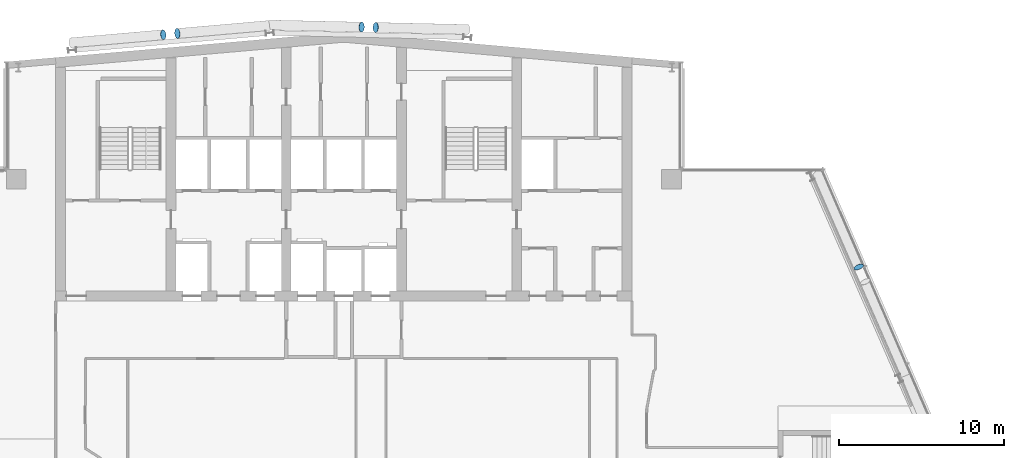
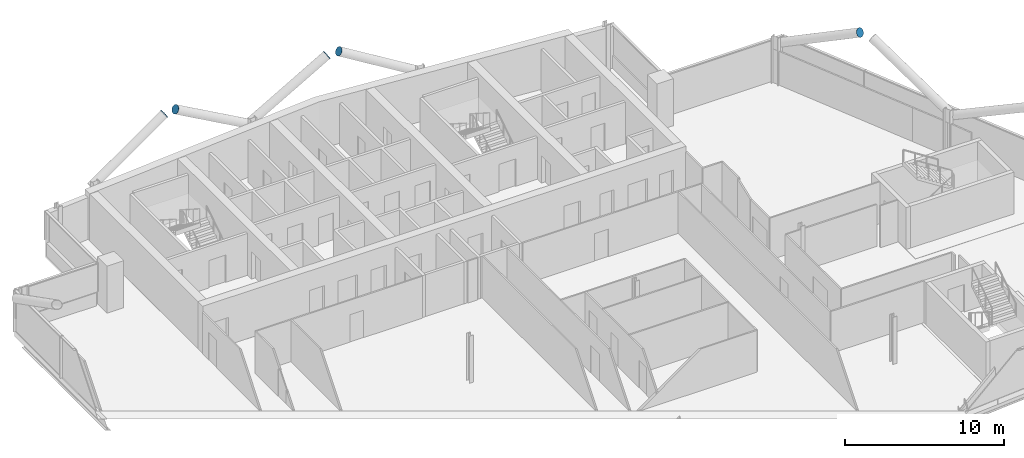
# One storey, part 22 of 25: 5 discrete accessories.
"""IFC4 building model written with IfcOpenShell, lengths in metres."""

import ifcopenshell
import ifcopenshell.guid

model = None  # the IFC model being written
_history = None  # IfcOwnerHistory: only IFC2X3 demands one
_inside = {}  # id of a spatial element -> (the spatial element, [elements in it])
_under = {}  # id of a project, library or spatial element -> (it, [spatial elements below it])
_declared = {}  # id of a project -> (the project, [libraries it declares])
_typed = {}  # id of a type object -> (the type object, [elements of that type])
_made_of = {}  # id of a material, layer set ... -> (it, [elements and type objects made of it])


def new_model(schema):
    """Start an empty IFC model of exactly this schema.

    Asked for "IFC4X3", IfcOpenShell would pick the latest addendum, in which some entities
    have other attributes; the version numbers below select the first issue.
    IFC2X3 requires an IfcOwnerHistory on every rooted entity: one is made here for all.
    """
    global model, _history
    if schema == "IFC4X3":
        model = ifcopenshell.file(schema_version=(4, 3, 0, 0))
    else:
        model = ifcopenshell.file(schema=schema)
    _inside.clear()
    _under.clear()
    _declared.clear()
    _typed.clear()
    _made_of.clear()
    _history = None
    if model.schema == "IFC2X3":
        org = make("IfcOrganization", Name="unknown")
        user = make(
            "IfcPersonAndOrganization",
            ThePerson=make("IfcPerson", FamilyName="unknown"),
            TheOrganization=org,
        )
        app = make(
            "IfcApplication",
            ApplicationDeveloper=org,
            Version="unknown",
            ApplicationFullName="unknown",
            ApplicationIdentifier="unknown",
        )
        _history = make(
            "IfcOwnerHistory",
            OwningUser=user,
            OwningApplication=app,
            ChangeAction="ADDED",
            CreationDate=0,
        )
    return model


def make(cls, **values):
    """One entity of the class cls with the attributes given. An attribute that is None is left unset."""
    return model.create_entity(
        cls, **{name: value for name, value in values.items() if value is not None}
    )


def rooted(cls, **values):
    """An entity with a GlobalId (a new one), such as an element, a storey or a relation."""
    return make(cls, GlobalId=ifcopenshell.guid.new(), OwnerHistory=_history, **values)


def si_unit(unit_type, name, prefix=None):
    """IfcSIUnit, for example si_unit("LENGTHUNIT", "METRE", prefix="MILLI")."""
    return make("IfcSIUnit", UnitType=unit_type, Prefix=prefix, Name=name)


def assignment(units):
    """IfcUnitAssignment: the units of a project."""
    return None if units is None else make("IfcUnitAssignment", Units=units)


def point(xyz):
    """IfcCartesianPoint."""
    return None if xyz is None else make("IfcCartesianPoint", Coordinates=xyz)


def direction(xyz):
    """IfcDirection."""
    return None if xyz is None else make("IfcDirection", DirectionRatios=xyz)


def frame(location, z_axis=None, x_axis=None):
    """IfcAxis2Placement3D, a coordinate frame: its origin and axes. An axis left out is left unset."""
    return make(
        "IfcAxis2Placement3D",
        Location=point(location),
        Axis=direction(z_axis),
        RefDirection=direction(x_axis),
    )


def frame_2d(location, x_axis=None):
    """IfcAxis2Placement2D, a coordinate frame in the plane: its origin and x axis."""
    return make(
        "IfcAxis2Placement2D", Location=point(location), RefDirection=direction(x_axis)
    )


def origin():
    """The frame at (0, 0, 0) with its axes left unset."""
    return frame((0.0, 0.0, 0.0))


def origin_2d():
    """The frame at (0, 0) in the plane with its x axis left unset."""
    return frame_2d((0.0, 0.0))


def place(relative_to, where):
    """IfcLocalPlacement: puts the frame where relative to a parent placement (None: the world)."""
    return make(
        "IfcLocalPlacement", PlacementRelTo=relative_to, RelativePlacement=where
    )


def context(
    kind, dimensions, precision=None, world=None, true_north=None, identifier=None
):
    """IfcGeometricRepresentationContext, for example the 3D "Model" context."""
    return make(
        "IfcGeometricRepresentationContext",
        ContextIdentifier=identifier,
        ContextType=kind,
        CoordinateSpaceDimension=dimensions,
        Precision=precision,
        WorldCoordinateSystem=world,
        TrueNorth=true_north,
    )


def subcontext(parent, identifier, kind, view, scale=None):
    """IfcGeometricRepresentationSubContext, for example "Body" below "Model"."""
    return make(
        "IfcGeometricRepresentationSubContext",
        ContextIdentifier=identifier,
        ContextType=kind,
        ParentContext=parent,
        TargetScale=scale,
        TargetView=view,
    )


def project(units=None, contexts=None):
    """IfcProject with its units and contexts."""
    return rooted(
        "IfcProject",
        Name="project",
        RepresentationContexts=contexts,
        UnitsInContext=assignment(units),
    )


def spatial(cls, under=None, at=None, **own):
    """A site, building, storey or space (cls), placed at a placement, below another one or the project."""
    s = rooted(cls, ObjectPlacement=at, **own)
    if under is not None:
        _under.setdefault(under.id(), (under, []))[1].append(s)
    return s


def profile(cls, at=None, kind="AREA", **sizes):
    """A parametric profile (cls). Its sizes go by their IFC names, for example OverallWidth=200.0."""
    return make(cls, ProfileType=kind, Position=at, **sizes)


def circle(**sizes):
    """IfcCircleProfileDef."""
    return profile("IfcCircleProfileDef", **sizes)


def extrude(swept, where, along, depth):
    """IfcExtrudedAreaSolid: the profile swept, set in the frame where, extruded along a direction by depth."""
    return make(
        "IfcExtrudedAreaSolid",
        SweptArea=swept,
        Position=where,
        ExtrudedDirection=direction(along),
        Depth=depth,
    )


def shape(context_of_items, identifier, shape_type, items):
    """IfcShapeRepresentation: the items that make up one representation, for example the "Body"."""
    return make(
        "IfcShapeRepresentation",
        ContextOfItems=context_of_items,
        RepresentationIdentifier=identifier,
        RepresentationType=shape_type,
        Items=items,
    )


def material(Name=None, Category=None):
    """IfcMaterial."""
    return make("IfcMaterial", Name=Name, Category=Category)


def material_profile(
    of_material, cross_section, Name=None, Category=None, Priority=None
):
    """IfcMaterialProfile: a cross section and its material."""
    return make(
        "IfcMaterialProfile",
        Name=Name,
        Material=of_material,
        Profile=cross_section,
        Priority=Priority,
        Category=Category,
    )


def profile_set(profiles, Name=None, composite=None):
    """IfcMaterialProfileSet."""
    return make(
        "IfcMaterialProfileSet",
        Name=Name,
        MaterialProfiles=profiles,
        CompositeProfile=composite,
    )


def made_of(thing, what):
    """Note that an element or type object is made of a material, layer set ...; save() writes the relation."""
    if what is not None:
        _made_of.setdefault(what.id(), (what, []))[1].append(thing)
    return thing


def type_object(cls, material=None, **own):
    """A type object (cls), such as IfcWallType, which elements share."""
    return made_of(rooted(cls, **own), material)


def element(
    cls,
    number,
    at=None,
    inside=None,
    cuts=None,
    type_object=None,
    material=None,
    context=None,
    identifier="Body",
    shape_type=None,
    held_by="IfcProductDefinitionShape",
    body=None,
    shapes=None,
    **own,
):
    """One element of the class cls, such as IfcWall. Its Tag is "e" and its number.

    at: its placement. inside: the storey or other place that contains it. cuts: it is an
    opening in that element (IfcRelVoidsElement). A single representation is given by context,
    identifier, shape_type and body (its items); several are given by shapes. held_by: the class
    of the entity that holds the representations. save() writes the other relations.
    """
    e = rooted(cls, Tag="e%d" % number, ObjectPlacement=at, **own)
    if body is not None:
        shapes = [shape(context, identifier, shape_type, body)]
    if shapes is not None:
        e.Representation = make(held_by, Representations=shapes)
    if inside is not None:
        _inside.setdefault(inside.id(), (inside, []))[1].append(e)
    if cuts is not None:
        rooted(
            "IfcRelVoidsElement", RelatingBuildingElement=cuts, RelatedOpeningElement=e
        )
    if type_object is not None:
        _typed.setdefault(type_object.id(), (type_object, []))[1].append(e)
    return made_of(e, material)


def aggregate(whole, parts):
    """IfcRelAggregates: a whole, such as a stair, and the parts it consists of."""
    return rooted("IfcRelAggregates", RelatingObject=whole, RelatedObjects=parts)


def save(model, path):
    """Write the relations noted so far, then the file.

    IfcRelAggregates (storeys below a building ...), IfcRelContainedInSpatialStructure (elements
    in a storey), IfcRelDefinesByType, IfcRelAssociatesMaterial and IfcRelDeclares: one each for
    every whole, place, type object, material and project.
    """
    for whole, parts in _under.values():
        aggregate(whole, parts)
    for where, things in _inside.values():
        rooted(
            "IfcRelContainedInSpatialStructure",
            RelatedElements=things,
            RelatingStructure=where,
        )
    for kind, things in _typed.values():
        rooted("IfcRelDefinesByType", RelatedObjects=things, RelatingType=kind)
    for what, things in _made_of.values():
        rooted("IfcRelAssociatesMaterial", RelatedObjects=things, RelatingMaterial=what)
    for by, libraries in _declared.values():
        rooted("IfcRelDeclares", RelatingContext=by, RelatedDefinitions=libraries)
    model.write(path)


model = new_model("IFC4")

# Units and contexts
model_context = context("Model", 3, precision=1e-05, world=origin(), true_north=direction((0.0, 1.0)))
body_context = subcontext(model_context, "Body", "Model", "MODEL_VIEW")
ifc_project = project(units=[si_unit("LENGTHUNIT", "METRE"), si_unit("AREAUNIT", "SQUARE_METRE"), si_unit("VOLUMEUNIT", "CUBIC_METRE"), si_unit("PLANEANGLEUNIT", "RADIAN"), si_unit("MASSUNIT", "GRAM", prefix="KILO")], contexts=[model_context])

# Site, building, storey
site_placement = place(None, origin())
site = spatial("IfcSite", under=ifc_project, at=site_placement, CompositionType="ELEMENT")
building_placement = place(site_placement, origin())
building = spatial("IfcBuilding", under=site, at=building_placement, Name="Wharfspan Tower", CompositionType="ELEMENT")
storey_placement = place(building_placement, frame((0.0, 0.0, 239.5)))
storey = spatial("IfcBuildingStorey", under=building, at=storey_placement, Name="L60", CompositionType="ELEMENT", Elevation=239.5)

# Discrete accessories
ifc_material = material(Name="Steel S460NH", Category="steel")
ifc_material_profile = material_profile(ifc_material, circle(Radius=0.304932, at=origin_2d()))
ifc_profile_set = profile_set([ifc_material_profile], Name="Steel S460NH")
discrete_accessory_type = type_object("IfcDiscreteAccessoryType", Name="End plate CHS 610x25", PredefinedType="BRACKET", material=ifc_profile_set)
for number, where, z_axis, x_axis, name in (
    (1, (71.769775, 36.06958, 6.233398), (0.345075, -0.81339, 0.468316), (0.920586, 0.390551, -2e-06), "End plate CHS 610x25"),
    (2, (29.527588, 50.172119, 6.240234), (0.855186, 0.073302, 0.513112), (-0.085402, 0.996345, 1e-06), "End plate CHS 610x25"),
    (3, (30.393555, 50.248047, 6.240234), (-0.855186, -0.073302, 0.513112), (0.085402, -0.996345, 1e-06), "End plate CHS 610x25"),
    (4, (41.577881, 50.636475, 6.240479), (0.857236, -0.024492, 0.514341), (0.028558, 0.999591, 2e-06), "End plate CHS 610x25"),
    (5, (42.442871, 50.616699, 6.240479), (-0.857236, 0.024492, 0.514341), (-0.028558, -0.999591, 2e-06), "End plate CHS 610x25"),
):
    element("IfcDiscreteAccessory", number, at=place(storey_placement, frame(where, z_axis=z_axis, x_axis=x_axis)), inside=storey, type_object=discrete_accessory_type, Name=name, PredefinedType="BRACKET", context=body_context, shape_type="SweptSolid", body=[
        extrude(circle(Radius=0.304932, at=origin_2d()), origin(), (0.0, 0.0, 1.0), 0.01001),
    ])

save(model, "model.ifc")
